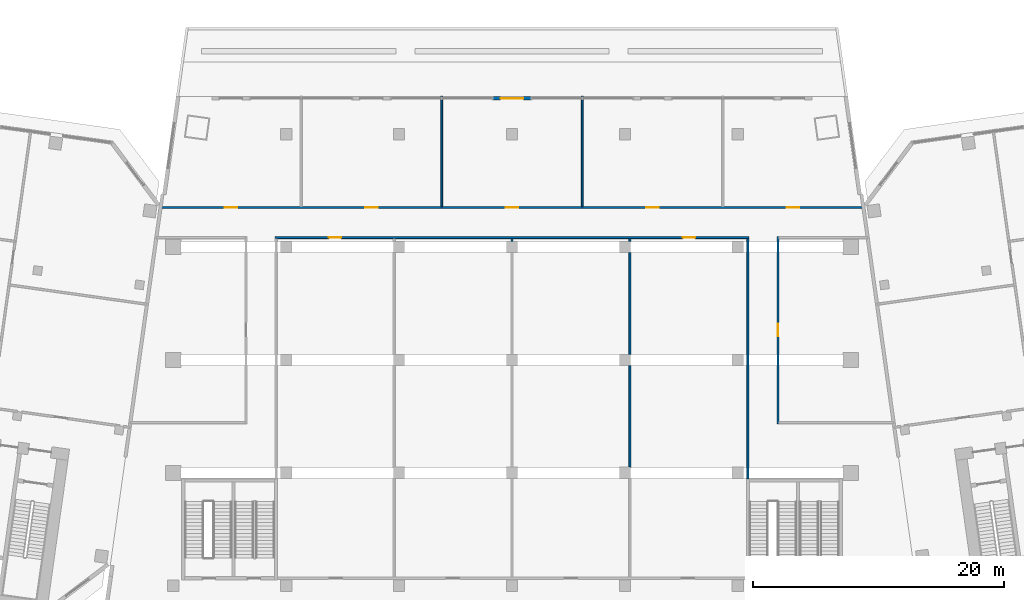
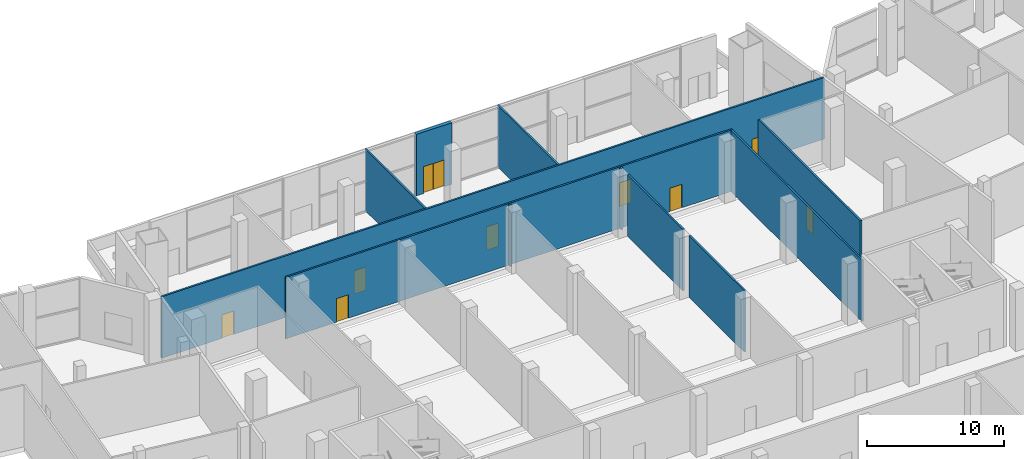
# One storey, part 14 of 24: 11 walls, 9 doors, 9 openings.
"""IFC4 building model written with IfcOpenShell, lengths in metres."""

from ifc_helpers import new_model, si_unit, direction, frame, frame_2d, origin, place, context, subcontext, project, spatial, rectangle, extrude, material, layer, layer_set, type_object, element, fill, save


model = new_model("IFC4")

# Units and contexts
model_context = context("Model", 3, precision=1e-05, world=origin(), true_north=direction((0.0, 1.0)))
body_context = subcontext(model_context, "Body", "Model", "MODEL_VIEW")
ifc_project = project(units=[si_unit("LENGTHUNIT", "METRE"), si_unit("AREAUNIT", "SQUARE_METRE"), si_unit("VOLUMEUNIT", "CUBIC_METRE"), si_unit("PLANEANGLEUNIT", "RADIAN"), si_unit("MASSUNIT", "GRAM", prefix="KILO")], contexts=[model_context])

# Site, building, storey
site_placement = place(None, origin())
site = spatial("IfcSite", under=ifc_project, at=site_placement, CompositionType="ELEMENT")
building_placement = place(site_placement, origin())
building = spatial("IfcBuilding", under=site, at=building_placement, Name="Mirante Cascada Hotel Towers", CompositionType="ELEMENT")
storey_placement = place(building_placement, frame((0.0, 0.0, 17.5)))
storey = spatial("IfcBuildingStorey", under=building, at=storey_placement, Name="L02", CompositionType="ELEMENT", Elevation=17.5)

# Wall, openings, doors
ifc_material_1 = material(Name="Masonry block", Category="masonry")
ifc_layer_1 = layer(ifc_material_1, 0.15)
ifc_layer_set_1 = layer_set([ifc_layer_1], Name="Corridor wall 150 block")
wall_type_1 = type_object("IfcWallType", Name="Corridor wall 150 block", PredefinedType="PARTITIONING", material=ifc_layer_set_1)
wall_1_placement = place(storey_placement, frame((-18.885, 9.75, 0.0), z_axis=(0.0, 0.0, 1.0), x_axis=(1.0, 0.0, 0.0)))
wall_1 = element("IfcWall", 1, at=wall_1_placement, inside=storey, type_object=wall_type_1, Name="Corridor wall P L02", PredefinedType="PARTITIONING", context=body_context, shape_type="SweptSolid", body=[
    extrude(rectangle(XDim=37.77, YDim=0.15, at=frame_2d((18.885, 0.0))), origin(), (0.0, 0.0, 1.0), 5.5),
])
opening_1_placement = place(wall_1_placement, frame((4.285, 0.0, 0.0)))
opening_1 = element("IfcOpeningElement", 2, at=opening_1_placement, cuts=wall_1, Name="Opening DP-L02-06", PredefinedType="OPENING", context=body_context, shape_type="SweptSolid", body=[
    extrude(rectangle(XDim=1.0, YDim=2.1, at=frame_2d((0.5, 1.05))), frame((0.0, 0.075, 0.0), z_axis=(0.0, -1.0, 0.0), x_axis=(1.0, 0.0, 0.0)), (0.0, 0.0, 1.0), 0.15),
])
opening_2_placement = place(wall_1_placement, frame((32.485, 0.0, 0.0)))
opening_2 = element("IfcOpeningElement", 3, at=opening_2_placement, cuts=wall_1, Name="Opening DP-L02-10", PredefinedType="OPENING", context=body_context, shape_type="SweptSolid", body=[
    extrude(rectangle(XDim=1.0, YDim=2.1, at=frame_2d((0.5, 1.05))), frame((0.0, 0.075, 0.0), z_axis=(0.0, -1.0, 0.0), x_axis=(1.0, 0.0, 0.0)), (0.0, 0.0, 1.0), 0.15),
])
ifc_material_2 = material(Name="Timber door leaf", Category="wood")
door_type_1 = type_object("IfcDoorType", Name="Single door 1000x2100", OperationType="NOTDEFINED", PredefinedType="DOOR", material=ifc_material_2)
door_1_placement = place(opening_1_placement, origin())
door_1 = element("IfcDoor", 4, at=door_1_placement, inside=storey, type_object=door_type_1, Name="Door DP-L02-06", OperationType="SINGLE_SWING_RIGHT", OverallHeight=2.1, OverallWidth=1.0, PredefinedType="DOOR", context=body_context, shape_type="SweptSolid", body=[
    extrude(rectangle(XDim=1.0, YDim=2.1, at=frame_2d((0.5, 1.05))), frame((0.0, 0.025, 0.0), z_axis=(0.0, -1.0, 0.0), x_axis=(1.0, 0.0, 0.0)), (0.0, 0.0, 1.0), 0.05),
])
fill(opening_1, door_1)
door_2_placement = place(opening_2_placement, origin())
door_2 = element("IfcDoor", 5, at=door_2_placement, inside=storey, type_object=door_type_1, Name="Door DP-L02-10", OperationType="SINGLE_SWING_RIGHT", OverallHeight=2.1, OverallWidth=1.0, PredefinedType="DOOR", context=body_context, shape_type="SweptSolid", body=[
    extrude(rectangle(XDim=1.0, YDim=2.1, at=frame_2d((0.5, 1.05))), frame((0.0, 0.025, 0.0), z_axis=(0.0, -1.0, 0.0), x_axis=(1.0, 0.0, 0.0)), (0.0, 0.0, 1.0), 0.05),
])
fill(opening_2, door_2)

wall_2_placement = place(storey_placement, frame((-28.0113, 12.15, 0.0), z_axis=(0.0, 0.0, 1.0), x_axis=(1.0, 0.0, 0.0)))
wall_2 = element("IfcWall", 6, at=wall_2_placement, inside=storey, type_object=wall_type_1, Name="Corridor wall P L02", PredefinedType="PARTITIONING", context=body_context, shape_type="SweptSolid", body=[
    extrude(rectangle(XDim=56.0226, YDim=0.15, at=frame_2d((28.0113, 0.0))), origin(), (0.0, 0.0, 1.0), 5.5),
])
opening_3_placement = place(wall_2_placement, frame((5.1023, 0.0, 0.0)))
opening_3 = element("IfcOpeningElement", 7, at=opening_3_placement, cuts=wall_2, Name="Opening DP-L02-17", PredefinedType="OPENING", context=body_context, shape_type="SweptSolid", body=[
    extrude(rectangle(XDim=1.0, YDim=2.1, at=frame_2d((0.5, 1.05))), frame((0.0, 0.075, 0.0), z_axis=(0.0, -1.0, 0.0), x_axis=(1.0, 0.0, 0.0)), (0.0, 0.0, 1.0), 0.15),
])
opening_4_placement = place(wall_2_placement, frame((16.3068, 0.0, 0.0)))
opening_4 = element("IfcOpeningElement", 8, at=opening_4_placement, cuts=wall_2, Name="Opening DP-L02-18", PredefinedType="OPENING", context=body_context, shape_type="SweptSolid", body=[
    extrude(rectangle(XDim=1.0, YDim=2.1, at=frame_2d((0.5, 1.05))), frame((0.0, 0.075, 0.0), z_axis=(0.0, -1.0, 0.0), x_axis=(1.0, 0.0, 0.0)), (0.0, 0.0, 1.0), 0.15),
])
opening_5_placement = place(wall_2_placement, frame((27.5113, 0.0, 0.0)))
opening_5 = element("IfcOpeningElement", 9, at=opening_5_placement, cuts=wall_2, Name="Opening DP-L02-19", PredefinedType="OPENING", context=body_context, shape_type="SweptSolid", body=[
    extrude(rectangle(XDim=1.0, YDim=2.1, at=frame_2d((0.5, 1.05))), frame((0.0, 0.075, 0.0), z_axis=(0.0, -1.0, 0.0), x_axis=(1.0, 0.0, 0.0)), (0.0, 0.0, 1.0), 0.15),
])
opening_6_placement = place(wall_2_placement, frame((38.7159, 0.0, 0.0)))
opening_6 = element("IfcOpeningElement", 10, at=opening_6_placement, cuts=wall_2, Name="Opening DP-L02-20", PredefinedType="OPENING", context=body_context, shape_type="SweptSolid", body=[
    extrude(rectangle(XDim=1.0, YDim=2.1, at=frame_2d((0.5, 1.05))), frame((0.0, 0.075, 0.0), z_axis=(0.0, -1.0, 0.0), x_axis=(1.0, 0.0, 0.0)), (0.0, 0.0, 1.0), 0.15),
])
opening_7_placement = place(wall_2_placement, frame((49.9204, 0.0, 0.0)))
opening_7 = element("IfcOpeningElement", 11, at=opening_7_placement, cuts=wall_2, Name="Opening DP-L02-21", PredefinedType="OPENING", context=body_context, shape_type="SweptSolid", body=[
    extrude(rectangle(XDim=1.0, YDim=2.1, at=frame_2d((0.5, 1.05))), frame((0.0, 0.075, 0.0), z_axis=(0.0, -1.0, 0.0), x_axis=(1.0, 0.0, 0.0)), (0.0, 0.0, 1.0), 0.15),
])
door_3_placement = place(opening_3_placement, origin())
door_3 = element("IfcDoor", 12, at=door_3_placement, inside=storey, type_object=door_type_1, Name="Door DP-L02-17", OperationType="SINGLE_SWING_LEFT", OverallHeight=2.1, OverallWidth=1.0, PredefinedType="DOOR", context=body_context, shape_type="SweptSolid", body=[
    extrude(rectangle(XDim=1.0, YDim=2.1, at=frame_2d((0.5, 1.05))), frame((0.0, 0.025, 0.0), z_axis=(0.0, -1.0, 0.0), x_axis=(1.0, 0.0, 0.0)), (0.0, 0.0, 1.0), 0.05),
])
fill(opening_3, door_3)
door_4_placement = place(opening_4_placement, origin())
door_4 = element("IfcDoor", 13, at=door_4_placement, inside=storey, type_object=door_type_1, Name="Door DP-L02-18", OperationType="SINGLE_SWING_RIGHT", OverallHeight=2.1, OverallWidth=1.0, PredefinedType="DOOR", context=body_context, shape_type="SweptSolid", body=[
    extrude(rectangle(XDim=1.0, YDim=2.1, at=frame_2d((0.5, 1.05))), frame((0.0, 0.025, 0.0), z_axis=(0.0, -1.0, 0.0), x_axis=(1.0, 0.0, 0.0)), (0.0, 0.0, 1.0), 0.05),
])
fill(opening_4, door_4)
door_5_placement = place(opening_5_placement, origin())
door_5 = element("IfcDoor", 14, at=door_5_placement, inside=storey, type_object=door_type_1, Name="Door DP-L02-19", OperationType="SINGLE_SWING_LEFT", OverallHeight=2.1, OverallWidth=1.0, PredefinedType="DOOR", context=body_context, shape_type="SweptSolid", body=[
    extrude(rectangle(XDim=1.0, YDim=2.1, at=frame_2d((0.5, 1.05))), frame((0.0, 0.025, 0.0), z_axis=(0.0, -1.0, 0.0), x_axis=(1.0, 0.0, 0.0)), (0.0, 0.0, 1.0), 0.05),
])
fill(opening_5, door_5)
door_6_placement = place(opening_6_placement, origin())
door_6 = element("IfcDoor", 15, at=door_6_placement, inside=storey, type_object=door_type_1, Name="Door DP-L02-20", OperationType="SINGLE_SWING_RIGHT", OverallHeight=2.1, OverallWidth=1.0, PredefinedType="DOOR", context=body_context, shape_type="SweptSolid", body=[
    extrude(rectangle(XDim=1.0, YDim=2.1, at=frame_2d((0.5, 1.05))), frame((0.0, 0.025, 0.0), z_axis=(0.0, -1.0, 0.0), x_axis=(1.0, 0.0, 0.0)), (0.0, 0.0, 1.0), 0.05),
])
fill(opening_6, door_6)
door_7_placement = place(opening_7_placement, origin())
door_7 = element("IfcDoor", 16, at=door_7_placement, inside=storey, type_object=door_type_1, Name="Door DP-L02-21", OperationType="SINGLE_SWING_LEFT", OverallHeight=2.1, OverallWidth=1.0, PredefinedType="DOOR", context=body_context, shape_type="SweptSolid", body=[
    extrude(rectangle(XDim=1.0, YDim=2.1, at=frame_2d((0.5, 1.05))), frame((0.0, 0.025, 0.0), z_axis=(0.0, -1.0, 0.0), x_axis=(1.0, 0.0, 0.0)), (0.0, 0.0, 1.0), 0.05),
])
fill(opening_7, door_7)

# Wall, opening, door
wall_3_placement = place(storey_placement, frame((21.2, -5.085, 0.0), z_axis=(0.0, 0.0, 1.0), x_axis=(0.0, 1.0, 0.0)))
wall_3 = element("IfcWall", 17, at=wall_3_placement, inside=storey, type_object=wall_type_1, Name="Corridor wall P L02", PredefinedType="PARTITIONING", context=body_context, shape_type="SweptSolid", body=[
    extrude(rectangle(XDim=14.91, YDim=0.15, at=frame_2d((7.455, 0.0))), origin(), (0.0, 0.0, 1.0), 5.5),
])
opening_8_placement = place(wall_3_placement, frame((6.96, 0.0, 0.0)))
opening_8 = element("IfcOpeningElement", 18, at=opening_8_placement, cuts=wall_3, Name="Opening DP-L02-12", PredefinedType="OPENING", context=body_context, shape_type="SweptSolid", body=[
    extrude(rectangle(XDim=1.0, YDim=2.1, at=frame_2d((0.5, 1.05))), frame((0.0, 0.075, 0.0), z_axis=(0.0, -1.0, 0.0), x_axis=(1.0, 0.0, 0.0)), (0.0, 0.0, 1.0), 0.15),
])
door_8_placement = place(opening_8_placement, frame((1.0, 0.0, 0.0), z_axis=(0.0, 0.0, 1.0), x_axis=(-1.0, 0.0, 0.0)))
door_8 = element("IfcDoor", 19, at=door_8_placement, inside=storey, type_object=door_type_1, Name="Door DP-L02-12", OperationType="SINGLE_SWING_RIGHT", OverallHeight=2.1, OverallWidth=1.0, PredefinedType="DOOR", context=body_context, shape_type="SweptSolid", body=[
    extrude(rectangle(XDim=1.0, YDim=2.1, at=frame_2d((0.5, 1.05))), frame((0.0, 0.025, 0.0), z_axis=(0.0, -1.0, 0.0), x_axis=(1.0, 0.0, 0.0)), (0.0, 0.0, 1.0), 0.05),
])
fill(opening_8, door_8)

# Walls
wall_4_placement = place(storey_placement, frame((18.8, -9.475, 0.0), z_axis=(0.0, 0.0, 1.0), x_axis=(0.0, 1.0, 0.0)))
element("IfcWall", 20, at=wall_4_placement, inside=storey, type_object=wall_type_1, Name="Corridor wall P L02", PredefinedType="PARTITIONING", context=body_context, shape_type="SweptSolid", body=[
    extrude(rectangle(XDim=19.15, YDim=0.15, at=frame_2d((9.575, 0.0))), origin(), (0.0, 0.0, 1.0), 5.5),
])
ifc_material_3 = material(Name="Masonry block", Category="masonry")
ifc_layer_2 = layer(ifc_material_3, 0.15)
ifc_layer_set_2 = layer_set([ifc_layer_2], Name="Partition 150 block")
wall_type_2 = type_object("IfcWallType", Name="Partition 150 block", PredefinedType="PARTITIONING", material=ifc_layer_set_2)
for number, where, z_axis, x_axis, name in (
    (21, (5.6023, 12.225, 0.0), (0.0, 0.0, 1.0), (0.0, 1.0, 0.0), "Partition P L02"),
    (22, (-5.6023, 12.225, 0.0), (0.0, 0.0, 1.0), (0.0, 1.0, 0.0), "Partition P L02"),
):
    element("IfcWall", number, at=place(storey_placement, frame(where, z_axis=z_axis, x_axis=x_axis)), inside=storey, type_object=wall_type_2, Name=name, PredefinedType="PARTITIONING", context=body_context, shape_type="SweptSolid", body=[
        extrude(rectangle(XDim=8.775, YDim=0.15, at=frame_2d((4.3875, 0.0))), origin(), (0.0, 0.0, 1.0), 5.5),
    ])
for number, where, z_axis, x_axis, name in (
    (23, (9.4, -8.55, 0.0), (0.0, 0.0, 1.0), (0.0, 1.0, 0.0), "Partition P L02"),
    (24, (9.4, 0.45, 0.0), (0.0, 0.0, 1.0), (0.0, 1.0, 0.0), "Partition P L02"),
):
    element("IfcWall", number, at=place(storey_placement, frame(where, z_axis=z_axis, x_axis=x_axis)), inside=storey, type_object=wall_type_2, Name=name, PredefinedType="PARTITIONING", context=body_context, shape_type="SweptSolid", body=[
        extrude(rectangle(XDim=8.1, YDim=0.15, at=frame_2d((4.05, 0.0))), origin(), (0.0, 0.0, 1.0), 5.5),
    ])
for number, where, z_axis, x_axis, name in (
    (25, (9.4, 9.45, 0.0), (0.0, 0.0, 1.0), (0.0, 1.0, 0.0), "Partition P L02"),
    (26, (0.0, 9.45, 0.0), (0.0, 0.0, 1.0), (0.0, 1.0, 0.0), "Partition P L02"),
):
    element("IfcWall", number, at=place(storey_placement, frame(where, z_axis=z_axis, x_axis=x_axis)), inside=storey, type_object=wall_type_2, Name=name, PredefinedType="PARTITIONING", context=body_context, shape_type="SweptSolid", body=[
        extrude(rectangle(XDim=0.225, YDim=0.15, at=frame_2d((0.1125, 0.0))), origin(), (0.0, 0.0, 1.0), 5.5),
    ])

# Wall, opening, door
ifc_material_4 = material(Name="Precast concrete C40/50", Category="concrete")
ifc_layer_3 = layer(ifc_material_4, 0.3)
ifc_layer_set_3 = layer_set([ifc_layer_3], Name="Precast concrete C40/50 cladding wall 300")
wall_type_3 = type_object("IfcWallType", Name="Precast concrete C40/50 cladding wall 300", PredefinedType="STANDARD", material=ifc_layer_set_3)
wall_5_placement = place(storey_placement, frame((1.5, 20.85, 0.0), z_axis=(0.0, 0.0, 1.0), x_axis=(-1.0, 0.0, 0.0)))
wall_5 = element("IfcWall", 27, at=wall_5_placement, inside=storey, type_object=wall_type_3, Name="Entrance pier wall L02 P:L02:4:5", PredefinedType="STANDARD", context=body_context, shape_type="SweptSolid", body=[
    extrude(rectangle(XDim=3.0, YDim=0.3, at=frame_2d((1.5, 0.0))), origin(), (0.0, 0.0, 1.0), 5.5),
])
opening_9_placement = place(wall_5_placement, frame((0.6, 0.0, 0.0)))
opening_9 = element("IfcOpeningElement", 28, at=opening_9_placement, cuts=wall_5, Name="Opening DP-02-93", PredefinedType="OPENING", context=body_context, shape_type="SweptSolid", body=[
    extrude(rectangle(XDim=1.8, YDim=2.4, at=frame_2d((0.9, 1.2))), frame((0.0, 0.15, 0.0), z_axis=(0.0, -1.0, 0.0), x_axis=(1.0, 0.0, 0.0)), (0.0, 0.0, 1.0), 0.3),
])
ifc_material_5 = material(Name="Aluminium frame with clear laminated glazing", Category="aluminium")
door_type_2 = type_object("IfcDoorType", Name="Terrace double door 1800x2400", OperationType="DOUBLE_DOOR_SINGLE_SWING", PredefinedType="DOOR", material=ifc_material_5)
door_9_placement = place(opening_9_placement, origin())
door_9 = element("IfcDoor", 29, at=door_9_placement, inside=storey, type_object=door_type_2, Name="Meeting room door DP-02-93", OperationType="DOUBLE_DOOR_SINGLE_SWING", OverallHeight=2.4, OverallWidth=1.8, PredefinedType="DOOR", context=body_context, shape_type="SweptSolid", body=[
    extrude(rectangle(XDim=0.895, YDim=2.4, at=frame_2d((0.4475, 1.2))), frame((0.0, 0.025, 0.0), z_axis=(0.0, -1.0, 0.0), x_axis=(1.0, 0.0, 0.0)), (0.0, 0.0, 1.0), 0.05),
    extrude(rectangle(XDim=0.895, YDim=2.4, at=frame_2d((1.3525, 1.2))), frame((0.0, 0.025, 0.0), z_axis=(0.0, -1.0, 0.0), x_axis=(1.0, 0.0, 0.0)), (0.0, 0.0, 1.0), 0.05),
])
fill(opening_9, door_9)

save(model, "model.ifc")
